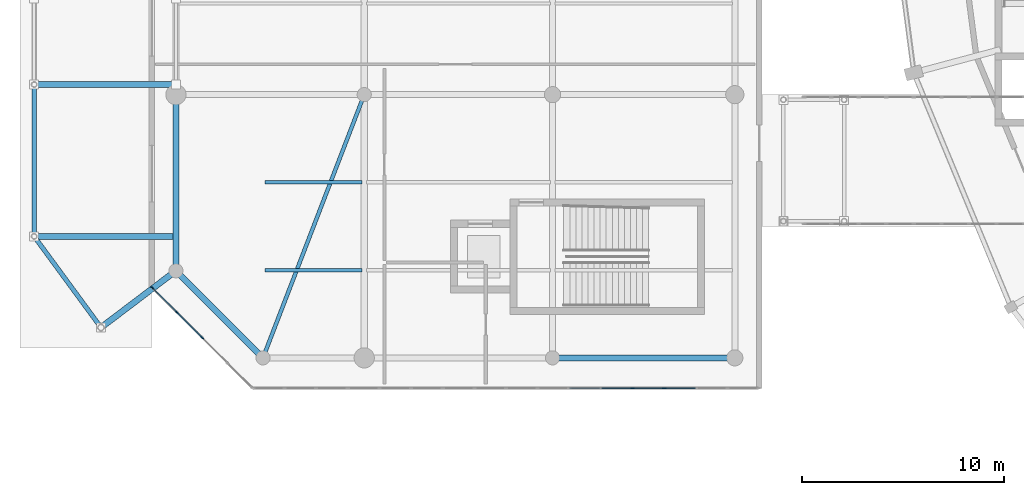
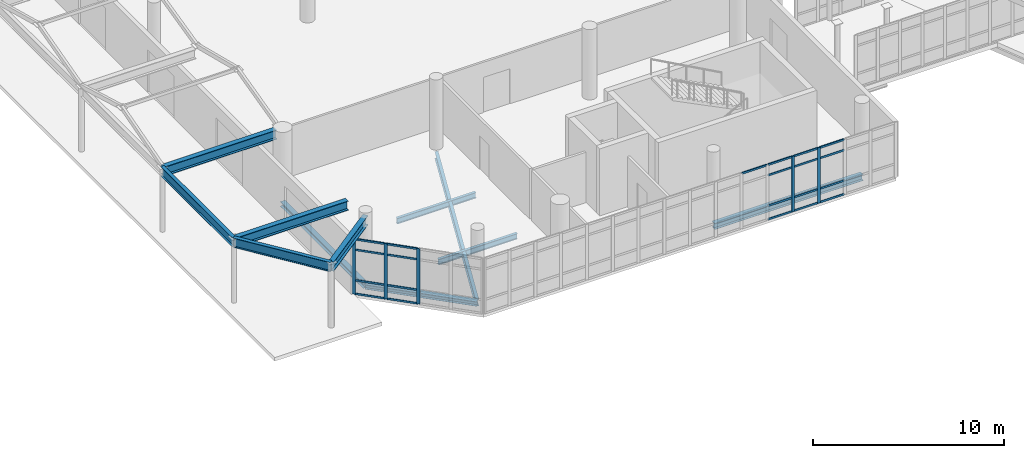
# One storey, part 28 of 122: 26 members, 11 beams, 2 elements without a shape of their own.
"""IFC4 building model written with IfcOpenShell, lengths in metres."""

from ifc_helpers import new_model, si_unit, direction, frame, origin, origin_2d, place, context, subcontext, project, spatial, rectangle, i_section, extrude, material, layer, layer_set, material_profile, profile_set, type_object, element, aggregate, save


model = new_model("IFC4")

# Units and contexts
model_context = context("Model", 3, precision=1e-05, world=origin(), true_north=direction((0.0, 1.0)))
body_context = subcontext(model_context, "Body", "Model", "MODEL_VIEW")
ifc_project = project(units=[si_unit("LENGTHUNIT", "METRE"), si_unit("AREAUNIT", "SQUARE_METRE"), si_unit("VOLUMEUNIT", "CUBIC_METRE"), si_unit("PLANEANGLEUNIT", "RADIAN"), si_unit("MASSUNIT", "GRAM", prefix="KILO")], contexts=[model_context])

# Site, building, storey
site_placement = place(None, origin())
site = spatial("IfcSite", under=ifc_project, at=site_placement, CompositionType="ELEMENT")
building_placement = place(site_placement, origin())
building = spatial("IfcBuilding", under=site, at=building_placement, Name="Sohan Crest Arena", CompositionType="ELEMENT")
storey_placement = place(building_placement, origin())
storey = spatial("IfcBuildingStorey", under=building, at=storey_placement, Name="L00", CompositionType="ELEMENT", Elevation=0.0)

# Curtain wall, members
ifc_material_1 = material(Name="Thermally broken anodised aluminium", Category="aluminium")
ifc_layer = layer(ifc_material_1, 0.199951171875, Name="Thermally broken anodised aluminium")
ifc_layer_set = layer_set([ifc_layer], Name="Thermally broken anodised aluminium")
curtain_wall_type = type_object("IfcCurtainWallType", Name="ARC-CW02", PredefinedType="NOTDEFINED", material=ifc_layer_set)
curtain_wall_1_placement = place(storey_placement, origin())
curtain_wall_1 = element("IfcCurtainWall", 1, at=curtain_wall_1_placement, inside=storey, type_object=curtain_wall_type, Name="Unitised curtain wall CW-202", PredefinedType="NOTDEFINED")
ifc_material_profile_1 = material_profile(ifc_material_1, rectangle(XDim=0.06494140625, YDim=0.179931640625, at=origin_2d()), Name="ALU-MULL 65x180")
ifc_profile_set_1 = profile_set([ifc_material_profile_1], Name="Thermally broken anodised aluminium")
member_type_1 = type_object("IfcMemberType", Name="ARC-CW-ML02", PredefinedType="MULLION", material=ifc_profile_set_1)
member_1_placement = place(storey_placement, frame((37.75, 50.0, 0.0), z_axis=(0.0, 0.0, 1.0), x_axis=(0.0, 1.0, 0.0)))
member_1 = element("IfcMember", 2, at=member_1_placement, type_object=member_type_1, Name="CW-202 mullion 13", PredefinedType="MULLION", context=body_context, shape_type="SweptSolid", body=[
    extrude(rectangle(XDim=0.06494140625, YDim=0.179931640625, at=origin_2d()), origin(), (0.0, 0.0, 1.0), 3.550048828125),
])
member_2_placement = place(storey_placement, frame((39.3125, 50.0, 0.0), z_axis=(0.0, 0.0, 1.0), x_axis=(0.0, 1.0, 0.0)))
member_2 = element("IfcMember", 3, at=member_2_placement, type_object=member_type_1, Name="CW-202 mullion 14", PredefinedType="MULLION", context=body_context, shape_type="SweptSolid", body=[
    extrude(rectangle(XDim=0.06494140625, YDim=0.179931640625, at=origin_2d()), origin(), (0.0, 0.0, 1.0), 3.550048828125),
])

curtain_wall_2_placement = place(storey_placement, origin())
curtain_wall_2 = element("IfcCurtainWall", 4, at=curtain_wall_2_placement, inside=storey, type_object=curtain_wall_type, Name="Unitised curtain wall CW-205", PredefinedType="NOTDEFINED")
member_3_placement = place(storey_placement, frame((14.02294921875, 54.97705078125, 0.0), z_axis=(0.0, 0.0, 1.0), x_axis=(0.707106781187, 0.707106781187, 0.0)))
member_3 = element("IfcMember", 5, at=member_3_placement, type_object=member_type_1, Name="CW-205 mullion 1", PredefinedType="MULLION", context=body_context, shape_type="SweptSolid", body=[
    extrude(rectangle(XDim=0.06494140625, YDim=0.179931640625, at=origin_2d()), origin(), (0.0, 0.0, 1.0), 3.550048828125),
])
member_4_placement = place(storey_placement, frame((15.25, 53.75, 0.0), z_axis=(0.0, 0.0, 1.0), x_axis=(0.707106781187, 0.707106781187, 0.0)))
member_4 = element("IfcMember", 6, at=member_4_placement, type_object=member_type_1, Name="CW-205 mullion 2", PredefinedType="MULLION", context=body_context, shape_type="SweptSolid", body=[
    extrude(rectangle(XDim=0.06494140625, YDim=0.179931640625, at=origin_2d()), origin(), (0.0, 0.0, 1.0), 3.550048828125),
])
member_5_placement = place(storey_placement, frame((16.5, 52.5, 0.0), z_axis=(0.0, 0.0, 1.0), x_axis=(0.707106781187, 0.707106781187, 0.0)))
member_5 = element("IfcMember", 7, at=member_5_placement, type_object=member_type_1, Name="CW-205 mullion 3", PredefinedType="MULLION", context=body_context, shape_type="SweptSolid", body=[
    extrude(rectangle(XDim=0.06494140625, YDim=0.179931640625, at=origin_2d()), origin(), (0.0, 0.0, 1.0), 3.550048828125),
])

# Member
ifc_material_profile_2 = material_profile(ifc_material_1, rectangle(XDim=0.06005859375, YDim=0.1201171875, at=origin_2d()), Name="ALU-TRAN 60x120")
ifc_profile_set_2 = profile_set([ifc_material_profile_2], Name="Thermally broken anodised aluminium")
member_type_2 = type_object("IfcMemberType", Name="ARC-CW-TR01", PredefinedType="USERDEFINED", material=ifc_profile_set_2)
member_6_placement = place(storey_placement, frame((34.657470703125, 50.0, 3.52001953125), z_axis=(1.0, 0.0, 0.0), x_axis=(0.0, 1.0, 0.0)))
member_6 = element("IfcMember", 8, at=member_6_placement, type_object=member_type_2, Name="CW-202 transom 11.4", ObjectType="TRANSOM", PredefinedType="USERDEFINED", context=body_context, shape_type="SweptSolid", body=[
    extrude(rectangle(XDim=0.06005859375, YDim=0.1201171875, at=origin_2d()), origin(), (0.0, 0.0, 1.0), 1.49755859375),
])

member_7_placement = place(storey_placement, frame((36.219970703125, 50.0, 0.030029296875), z_axis=(1.0, 0.0, 0.0), x_axis=(0.0, 1.0, 0.0)))
member_7 = element("IfcMember", 9, at=member_7_placement, type_object=member_type_2, Name="CW-202 transom 12.1", ObjectType="TRANSOM", PredefinedType="USERDEFINED", context=body_context, shape_type="SweptSolid", body=[
    extrude(rectangle(XDim=0.06005859375, YDim=0.1201171875, at=origin_2d()), origin(), (0.0, 0.0, 1.0), 1.49755859375),
])

member_8_placement = place(storey_placement, frame((36.219970703125, 50.0, 0.89990234375), z_axis=(1.0, 0.0, 0.0), x_axis=(0.0, 1.0, 0.0)))
member_8 = element("IfcMember", 10, at=member_8_placement, type_object=member_type_2, Name="CW-202 transom 12.2", ObjectType="TRANSOM", PredefinedType="USERDEFINED", context=body_context, shape_type="SweptSolid", body=[
    extrude(rectangle(XDim=0.06005859375, YDim=0.1201171875, at=origin_2d()), origin(), (0.0, 0.0, 1.0), 1.49755859375),
])

member_9_placement = place(storey_placement, frame((36.219970703125, 50.0, 2.85009765625), z_axis=(1.0, 0.0, 0.0), x_axis=(0.0, 1.0, 0.0)))
member_9 = element("IfcMember", 11, at=member_9_placement, type_object=member_type_2, Name="CW-202 transom 12.3", ObjectType="TRANSOM", PredefinedType="USERDEFINED", context=body_context, shape_type="SweptSolid", body=[
    extrude(rectangle(XDim=0.06005859375, YDim=0.1201171875, at=origin_2d()), origin(), (0.0, 0.0, 1.0), 1.49755859375),
])

member_10_placement = place(storey_placement, frame((36.219970703125, 50.0, 3.52001953125), z_axis=(1.0, 0.0, 0.0), x_axis=(0.0, 1.0, 0.0)))
member_10 = element("IfcMember", 12, at=member_10_placement, type_object=member_type_2, Name="CW-202 transom 12.4", ObjectType="TRANSOM", PredefinedType="USERDEFINED", context=body_context, shape_type="SweptSolid", body=[
    extrude(rectangle(XDim=0.06005859375, YDim=0.1201171875, at=origin_2d()), origin(), (0.0, 0.0, 1.0), 1.49755859375),
])

member_11_placement = place(storey_placement, frame((37.782470703125, 50.0, 0.030029296875), z_axis=(1.0, 0.0, 0.0), x_axis=(0.0, 1.0, 0.0)))
member_11 = element("IfcMember", 13, at=member_11_placement, type_object=member_type_2, Name="CW-202 transom 13.1", ObjectType="TRANSOM", PredefinedType="USERDEFINED", context=body_context, shape_type="SweptSolid", body=[
    extrude(rectangle(XDim=0.06005859375, YDim=0.1201171875, at=origin_2d()), origin(), (0.0, 0.0, 1.0), 1.49755859375),
])

member_12_placement = place(storey_placement, frame((37.782470703125, 50.0, 0.89990234375), z_axis=(1.0, 0.0, 0.0), x_axis=(0.0, 1.0, 0.0)))
member_12 = element("IfcMember", 14, at=member_12_placement, type_object=member_type_2, Name="CW-202 transom 13.2", ObjectType="TRANSOM", PredefinedType="USERDEFINED", context=body_context, shape_type="SweptSolid", body=[
    extrude(rectangle(XDim=0.06005859375, YDim=0.1201171875, at=origin_2d()), origin(), (0.0, 0.0, 1.0), 1.49755859375),
])

member_13_placement = place(storey_placement, frame((37.782470703125, 50.0, 2.85009765625), z_axis=(1.0, 0.0, 0.0), x_axis=(0.0, 1.0, 0.0)))
member_13 = element("IfcMember", 15, at=member_13_placement, type_object=member_type_2, Name="CW-202 transom 13.3", ObjectType="TRANSOM", PredefinedType="USERDEFINED", context=body_context, shape_type="SweptSolid", body=[
    extrude(rectangle(XDim=0.06005859375, YDim=0.1201171875, at=origin_2d()), origin(), (0.0, 0.0, 1.0), 1.49755859375),
])

member_14_placement = place(storey_placement, frame((37.782470703125, 50.0, 3.52001953125), z_axis=(1.0, 0.0, 0.0), x_axis=(0.0, 1.0, 0.0)))
member_14 = element("IfcMember", 16, at=member_14_placement, type_object=member_type_2, Name="CW-202 transom 13.4", ObjectType="TRANSOM", PredefinedType="USERDEFINED", context=body_context, shape_type="SweptSolid", body=[
    extrude(rectangle(XDim=0.06005859375, YDim=0.1201171875, at=origin_2d()), origin(), (0.0, 0.0, 1.0), 1.49755859375),
])

member_15_placement = place(storey_placement, frame((39.344970703125, 50.0, 0.030029296875), z_axis=(1.0, 0.0, 0.0), x_axis=(0.0, 1.0, 0.0)))
member_15 = element("IfcMember", 17, at=member_15_placement, type_object=member_type_2, Name="CW-202 transom 14.1", ObjectType="TRANSOM", PredefinedType="USERDEFINED", context=body_context, shape_type="SweptSolid", body=[
    extrude(rectangle(XDim=0.06005859375, YDim=0.1201171875, at=origin_2d()), origin(), (0.0, 0.0, 1.0), 1.49755859375),
])

member_16_placement = place(storey_placement, frame((39.344970703125, 50.0, 0.89990234375), z_axis=(1.0, 0.0, 0.0), x_axis=(0.0, 1.0, 0.0)))
member_16 = element("IfcMember", 18, at=member_16_placement, type_object=member_type_2, Name="CW-202 transom 14.2", ObjectType="TRANSOM", PredefinedType="USERDEFINED", context=body_context, shape_type="SweptSolid", body=[
    extrude(rectangle(XDim=0.06005859375, YDim=0.1201171875, at=origin_2d()), origin(), (0.0, 0.0, 1.0), 1.49755859375),
])

member_17_placement = place(storey_placement, frame((39.344970703125, 50.0, 2.85009765625), z_axis=(1.0, 0.0, 0.0), x_axis=(0.0, 1.0, 0.0)))
member_17 = element("IfcMember", 19, at=member_17_placement, type_object=member_type_2, Name="CW-202 transom 14.3", ObjectType="TRANSOM", PredefinedType="USERDEFINED", context=body_context, shape_type="SweptSolid", body=[
    extrude(rectangle(XDim=0.06005859375, YDim=0.1201171875, at=origin_2d()), origin(), (0.0, 0.0, 1.0), 1.49755859375),
])

member_18_placement = place(storey_placement, frame((39.344970703125, 50.0, 3.52001953125), z_axis=(1.0, 0.0, 0.0), x_axis=(0.0, 1.0, 0.0)))
member_18 = element("IfcMember", 20, at=member_18_placement, type_object=member_type_2, Name="CW-202 transom 14.4", ObjectType="TRANSOM", PredefinedType="USERDEFINED", context=body_context, shape_type="SweptSolid", body=[
    extrude(rectangle(XDim=0.06005859375, YDim=0.1201171875, at=origin_2d()), origin(), (0.0, 0.0, 1.0), 1.49755859375),
])

aggregate(curtain_wall_1, [member_1, member_2, member_6, member_7, member_8, member_9, member_10, member_11, member_12, member_13, member_14, member_15, member_16, member_17, member_18])

member_19_placement = place(storey_placement, frame((14.0458984375, 54.9541015625, 0.030029296875), z_axis=(0.707106781187, -0.707106781187, 0.0), x_axis=(0.707106781187, 0.707106781187, 0.0)))
member_19 = element("IfcMember", 21, at=member_19_placement, type_object=member_type_2, Name="CW-205 transom 1.1", ObjectType="TRANSOM", PredefinedType="USERDEFINED", context=body_context, shape_type="SweptSolid", body=[
    extrude(rectangle(XDim=0.06005859375, YDim=0.1201171875, at=origin_2d()), origin(), (0.0, 0.0, 1.0), 1.67041015625),
])

member_20_placement = place(storey_placement, frame((14.0458984375, 54.9541015625, 0.89990234375), z_axis=(0.707106781187, -0.707106781187, 0.0), x_axis=(0.707106781187, 0.707106781187, 0.0)))
member_20 = element("IfcMember", 22, at=member_20_placement, type_object=member_type_2, Name="CW-205 transom 1.2", ObjectType="TRANSOM", PredefinedType="USERDEFINED", context=body_context, shape_type="SweptSolid", body=[
    extrude(rectangle(XDim=0.06005859375, YDim=0.1201171875, at=origin_2d()), origin(), (0.0, 0.0, 1.0), 1.67041015625),
])

member_21_placement = place(storey_placement, frame((14.0458984375, 54.9541015625, 2.85009765625), z_axis=(0.707106781187, -0.707106781187, 0.0), x_axis=(0.707106781187, 0.707106781187, 0.0)))
member_21 = element("IfcMember", 23, at=member_21_placement, type_object=member_type_2, Name="CW-205 transom 1.3", ObjectType="TRANSOM", PredefinedType="USERDEFINED", context=body_context, shape_type="SweptSolid", body=[
    extrude(rectangle(XDim=0.06005859375, YDim=0.1201171875, at=origin_2d()), origin(), (0.0, 0.0, 1.0), 1.67041015625),
])

member_22_placement = place(storey_placement, frame((14.0458984375, 54.9541015625, 3.52001953125), z_axis=(0.707106781187, -0.707106781187, 0.0), x_axis=(0.707106781187, 0.707106781187, 0.0)))
member_22 = element("IfcMember", 24, at=member_22_placement, type_object=member_type_2, Name="CW-205 transom 1.4", ObjectType="TRANSOM", PredefinedType="USERDEFINED", context=body_context, shape_type="SweptSolid", body=[
    extrude(rectangle(XDim=0.06005859375, YDim=0.1201171875, at=origin_2d()), origin(), (0.0, 0.0, 1.0), 1.67041015625),
])

member_23_placement = place(storey_placement, frame((15.27294921875, 53.72705078125, 0.030029296875), z_axis=(0.707106781187, -0.707106781187, 0.0), x_axis=(0.707106781187, 0.707106781187, 0.0)))
member_23 = element("IfcMember", 25, at=member_23_placement, type_object=member_type_2, Name="CW-205 transom 2.1", ObjectType="TRANSOM", PredefinedType="USERDEFINED", context=body_context, shape_type="SweptSolid", body=[
    extrude(rectangle(XDim=0.06005859375, YDim=0.1201171875, at=origin_2d()), origin(), (0.0, 0.0, 1.0), 1.702880859375),
])

member_24_placement = place(storey_placement, frame((15.27294921875, 53.72705078125, 0.89990234375), z_axis=(0.707106781187, -0.707106781187, 0.0), x_axis=(0.707106781187, 0.707106781187, 0.0)))
member_24 = element("IfcMember", 26, at=member_24_placement, type_object=member_type_2, Name="CW-205 transom 2.2", ObjectType="TRANSOM", PredefinedType="USERDEFINED", context=body_context, shape_type="SweptSolid", body=[
    extrude(rectangle(XDim=0.06005859375, YDim=0.1201171875, at=origin_2d()), origin(), (0.0, 0.0, 1.0), 1.702880859375),
])

member_25_placement = place(storey_placement, frame((15.27294921875, 53.72705078125, 2.85009765625), z_axis=(0.707106781187, -0.707106781187, 0.0), x_axis=(0.707106781187, 0.707106781187, 0.0)))
member_25 = element("IfcMember", 27, at=member_25_placement, type_object=member_type_2, Name="CW-205 transom 2.3", ObjectType="TRANSOM", PredefinedType="USERDEFINED", context=body_context, shape_type="SweptSolid", body=[
    extrude(rectangle(XDim=0.06005859375, YDim=0.1201171875, at=origin_2d()), origin(), (0.0, 0.0, 1.0), 1.702880859375),
])

member_26_placement = place(storey_placement, frame((15.27294921875, 53.72705078125, 3.52001953125), z_axis=(0.707106781187, -0.707106781187, 0.0), x_axis=(0.707106781187, 0.707106781187, 0.0)))
member_26 = element("IfcMember", 28, at=member_26_placement, type_object=member_type_2, Name="CW-205 transom 2.4", ObjectType="TRANSOM", PredefinedType="USERDEFINED", context=body_context, shape_type="SweptSolid", body=[
    extrude(rectangle(XDim=0.06005859375, YDim=0.1201171875, at=origin_2d()), origin(), (0.0, 0.0, 1.0), 1.702880859375),
])

aggregate(curtain_wall_2, [member_3, member_4, member_5, member_19, member_20, member_21, member_22, member_23, member_24, member_25, member_26])

# Beams
ifc_material_2 = material(Name="Steel S355", Category="steel")
ifc_material_profile_3 = material_profile(ifc_material_2, i_section(OverallWidth=0.169921875, OverallDepth=0.360107421875, WebThickness=0.008056640625, FlangeThickness=0.0126953125, at=origin_2d()), Name="IPE 360")
ifc_profile_set_3 = profile_set([ifc_material_profile_3], Name="Steel S355")
beam_type_1 = type_object("IfcBeamType", Name="STR-BM-B02", PredefinedType="JOIST", material=ifc_profile_set_3)
for number, where, z_axis, x_axis, name in (
    (29, (19.610107421875, 55.8330078125, -0.409912109375), (1.0, 0.0, 0.0), (0.0, 1.0, 0.0), "Structural beam J-L00-1937"),
    (30, (19.610107421875, 60.1669921875, -0.409912109375), (1.0, 0.0, 0.0), (0.0, 1.0, 0.0), "Structural beam J-L00-1938"),
):
    element("IfcBeam", number, at=place(storey_placement, frame(where, z_axis=z_axis, x_axis=x_axis)), inside=storey, type_object=beam_type_1, Name=name, PredefinedType="JOIST", context=body_context, shape_type="SweptSolid", body=[
        extrude(i_section(OverallWidth=0.169921875, OverallDepth=0.360107421875, WebThickness=0.008056640625, FlangeThickness=0.0126953125, at=origin_2d()), origin(), (0.0, 0.0, 1.0), 4.77978515625),
    ])
ifc_material_profile_4 = material_profile(ifc_material_2, i_section(OverallWidth=0.18994140625, OverallDepth=0.449951171875, WebThickness=0.009521484375, FlangeThickness=0.0146484375, at=origin_2d()), Name="IPE 450")
ifc_profile_set_4 = profile_set([ifc_material_profile_4], Name="Steel S355")
beam_type_2 = type_object("IfcBeamType", Name="STR-BM-B04", PredefinedType="JOIST", material=ifc_profile_set_4)
beam_1_placement = place(storey_placement, frame((19.5390625, 51.60302734375, -0.455078125), z_axis=(0.359050685685, 0.933318062136, 0.0), x_axis=(-0.933318062136, 0.359050685685, 0.0)))
element("IfcBeam", 31, at=beam_1_placement, inside=storey, type_object=beam_type_2, Name="Structural beam J-L00-1977", PredefinedType="JOIST", context=body_context, shape_type="SweptSolid", body=[
    extrude(i_section(OverallWidth=0.18994140625, OverallDepth=0.449951171875, WebThickness=0.009521484375, FlangeThickness=0.0146484375, at=origin_2d()), origin(), (0.0, 0.0, 1.0), 13.7080078125),
])
ifc_material_profile_5 = material_profile(ifc_material_2, i_section(OverallWidth=0.219970703125, OverallDepth=0.60009765625, WebThickness=0.011962890625, FlangeThickness=0.01904296875, at=origin_2d()), Name="IPE 600")
ifc_profile_set_5 = profile_set([ifc_material_profile_5], Name="Steel S355")
beam_type_3 = type_object("IfcBeamType", Name="STR-BM-B07", PredefinedType="BEAM", material=ifc_profile_set_5)
beam_2_placement = place(storey_placement, frame((8.199951171875, 57.5, 3.85498046875), z_axis=(0.0, 1.0, 0.0), x_axis=(-1.0, 0.0, 0.0)))
element("IfcBeam", 32, at=beam_2_placement, inside=storey, type_object=beam_type_3, Name="Structural beam CN-L00-2146", PredefinedType="BEAM", context=body_context, shape_type="SweptSolid", body=[
    extrude(i_section(OverallWidth=0.219970703125, OverallDepth=0.60009765625, WebThickness=0.011962890625, FlangeThickness=0.01904296875, at=origin_2d()), origin(), (0.0, 0.0, 1.0), 7.5),
])
beam_3_placement = place(storey_placement, frame((11.5, 53.0, 3.85498046875), z_axis=(-0.591369353648, 0.806400823144, 0.0), x_axis=(-0.806400823144, -0.591369353648, 0.0)))
element("IfcBeam", 33, at=beam_3_placement, inside=storey, type_object=beam_type_3, Name="Structural beam CN-L00-2151", PredefinedType="BEAM", context=body_context, shape_type="SweptSolid", body=[
    extrude(i_section(OverallWidth=0.219970703125, OverallDepth=0.60009765625, WebThickness=0.011962890625, FlangeThickness=0.01904296875, at=origin_2d()), origin(), (0.0, 0.0, 1.0), 5.580322265625),
])
ifc_material_profile_6 = material_profile(ifc_material_2, i_section(OverallWidth=0.300048828125, OverallDepth=0.2900390625, WebThickness=0.008544921875, FlangeThickness=0.013916015625, at=origin_2d()), Name="HEA 300")
ifc_profile_set_6 = profile_set([ifc_material_profile_6], Name="Steel S355")
beam_type_4 = type_object("IfcBeamType", Name="STR-BM-B08", PredefinedType="BEAM", material=ifc_profile_set_6)
beam_4_placement = place(storey_placement, frame((15.199951171875, 55.800048828125, -0.375), z_axis=(0.0, 1.0, 0.0), x_axis=(-1.0, 0.0, 0.0)))
element("IfcBeam", 34, at=beam_4_placement, inside=storey, type_object=beam_type_4, Name="Structural beam G-L00-1920", PredefinedType="BEAM", context=body_context, shape_type="SweptSolid", body=[
    extrude(i_section(OverallWidth=0.300048828125, OverallDepth=0.2900390625, WebThickness=0.008544921875, FlangeThickness=0.013916015625, at=origin_2d()), origin(), (0.0, 0.0, 1.0), 8.699951171875),
])
beam_5_placement = place(storey_placement, frame((15.199951171875, 55.800048828125, -0.375), z_axis=(0.707106781187, -0.707106781187, 0.0), x_axis=(0.707106781187, 0.707106781187, 0.0)))
element("IfcBeam", 35, at=beam_5_placement, inside=storey, type_object=beam_type_4, Name="Structural beam G-L00-1975", PredefinedType="BEAM", context=body_context, shape_type="SweptSolid", body=[
    extrude(i_section(OverallWidth=0.300048828125, OverallDepth=0.2900390625, WebThickness=0.008544921875, FlangeThickness=0.013916015625, at=origin_2d()), origin(), (0.0, 0.0, 1.0), 6.081298828125),
])
ifc_material_profile_7 = material_profile(ifc_material_2, i_section(OverallWidth=0.300048828125, OverallDepth=0.389892578125, WebThickness=0.010986328125, FlangeThickness=0.01904296875, at=origin_2d()), Name="HEA 400")
ifc_profile_set_7 = profile_set([ifc_material_profile_7], Name="Steel S355")
beam_type_5 = type_object("IfcBeamType", Name="STR-BM-B09", PredefinedType="BEAM", material=ifc_profile_set_7)
beam_6_placement = place(storey_placement, frame((33.800048828125, 51.5, -0.425048828125), z_axis=(1.0, 0.0, 0.0), x_axis=(0.0, 1.0, 0.0)))
element("IfcBeam", 36, at=beam_6_placement, inside=storey, type_object=beam_type_5, Name="Structural beam G-L00-1942", PredefinedType="BEAM", context=body_context, shape_type="SweptSolid", body=[
    extrude(i_section(OverallWidth=0.300048828125, OverallDepth=0.389892578125, WebThickness=0.010986328125, FlangeThickness=0.01904296875, at=origin_2d()), origin(), (0.0, 0.0, 1.0), 9.0),
])
ifc_material_profile_8 = material_profile(ifc_material_2, i_section(OverallWidth=0.300048828125, OverallDepth=0.60009765625, WebThickness=0.015380859375, FlangeThickness=0.030029296875, at=origin_2d()), Name="HEB 600")
ifc_profile_set_8 = profile_set([ifc_material_profile_8], Name="Steel S355")
beam_type_6 = type_object("IfcBeamType", Name="STR-BM-B15", PredefinedType="BEAM", material=ifc_profile_set_8)
beam_7_placement = place(storey_placement, frame((11.5, 53.0, 3.85498046875), z_axis=(0.797397489895, 0.603454425048, 0.0), x_axis=(-0.603454425048, 0.797397489895, 0.0)))
element("IfcBeam", 37, at=beam_7_placement, inside=storey, type_object=beam_type_6, Name="Structural beam CN-L00-2153", PredefinedType="BEAM", context=body_context, shape_type="SweptSolid", body=[
    extrude(i_section(OverallWidth=0.300048828125, OverallDepth=0.60009765625, WebThickness=0.015380859375, FlangeThickness=0.030029296875, at=origin_2d()), origin(), (0.0, 0.0, 1.0), 4.64013671875),
])
for number, where, z_axis, x_axis, name in (
    (38, (8.199951171875, 57.5, 3.85498046875), (1.0, 0.0, 0.0), (0.0, 1.0, 0.0), "Structural beam CN-L00-2155"),
    (39, (8.199951171875, 65.0, 3.85498046875), (1.0, 0.0, 0.0), (0.0, 1.0, 0.0), "Structural beam CN-L00-2156"),
):
    element("IfcBeam", number, at=place(storey_placement, frame(where, z_axis=z_axis, x_axis=x_axis)), inside=storey, type_object=beam_type_6, Name=name, PredefinedType="BEAM", context=body_context, shape_type="SweptSolid", body=[
        extrude(i_section(OverallWidth=0.300048828125, OverallDepth=0.60009765625, WebThickness=0.015380859375, FlangeThickness=0.030029296875, at=origin_2d()), origin(), (0.0, 0.0, 1.0), 6.85009765625),
    ])

save(model, "model.ifc")
